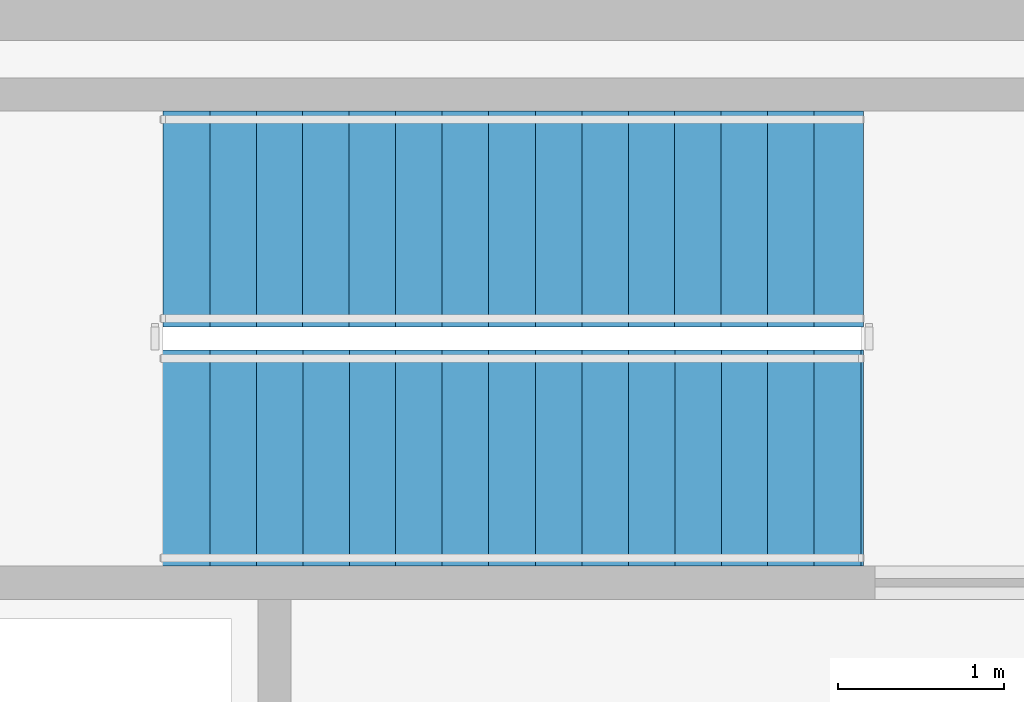
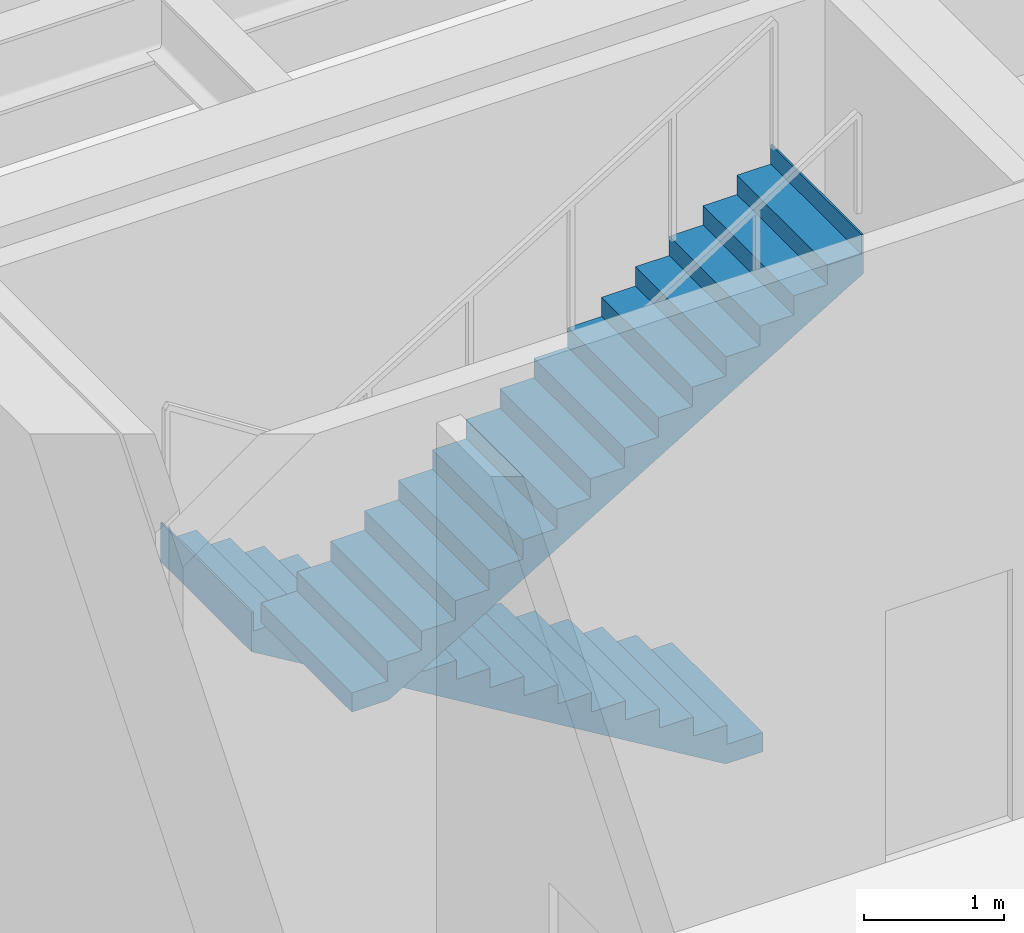
# One storey, part 9 of 12: 2 stair flights, 1 element without a shape of its own.
"""IFC4 building model written with IfcOpenShell, lengths in metres."""

from ifc_helpers import new_model, si_unit, derived_unit, direction, frame, origin, place, context, subcontext, project, spatial, polyline, outline, extrude, source, transform, mapped, material, layer, layer_set, type_object, element, aggregate, save


model = new_model("IFC4")

# Units and contexts
model_context = context("Model", 3, precision=1e-05, world=origin(), true_north=direction((0.0, 1.0)))
body_context = subcontext(model_context, "Body", "Model", "MODEL_VIEW")
ifc_project = project(units=[si_unit("LENGTHUNIT", "METRE"), si_unit("AREAUNIT", "SQUARE_METRE"), si_unit("VOLUMEUNIT", "CUBIC_METRE"), si_unit("PLANEANGLEUNIT", "RADIAN"), si_unit("MASSUNIT", "GRAM", prefix="KILO"), si_unit("THERMODYNAMICTEMPERATUREUNIT", "KELVIN"), si_unit("POWERUNIT", "WATT"), derived_unit("THERMALTRANSMITTANCEUNIT", [(si_unit("POWERUNIT", "WATT"), 1), (si_unit("AREAUNIT", "SQUARE_METRE"), -1), (si_unit("THERMODYNAMICTEMPERATUREUNIT", "KELVIN"), -1)])], contexts=[model_context])

# Site, building, storey
site_placement = place(None, origin())
site = spatial("IfcSite", under=ifc_project, at=site_placement, CompositionType="ELEMENT")
building_placement = place(site_placement, origin())
building = spatial("IfcBuilding", under=site, at=building_placement, Name="Zahravan Archway Hotel and Residences", CompositionType="ELEMENT")
storey_placement = place(building_placement, frame((0.0, 0.0, 106.39990234375)))
storey = spatial("IfcBuildingStorey", under=building, at=storey_placement, Name="L26", CompositionType="ELEMENT", Elevation=106.39990234375)

# Stair, stair flights
ifc_material = material(Name="Concrete C50/60", Category="concrete")
stair_type = type_object("IfcStairType", Name="STR-CORE-1300", PredefinedType="HALF_TURN_STAIR", material=ifc_material)
stair_placement = place(storey_placement, origin())
stair = element("IfcStair", 1, at=stair_placement, inside=storey, type_object=stair_type, Name="L26 Core B Exit Stair 2", PredefinedType="HALF_TURN_STAIR")
ifc_layer = layer(ifc_material, 0.199951171875, Name="Concrete C50/60", Category="concrete")
ifc_layer_set = layer_set([ifc_layer], Name="Concrete C50/60")
stair_flight_type = type_object("IfcStairFlightType", Name="SFL-CORE-1300", PredefinedType="STRAIGHT", material=ifc_layer_set)
shared_shape = source(origin(), body_context, "Body", "SweptSolid", [
    extrude(outline(polyline([(-0.01611328125, 0.0), (-0.01611328125, 0.168701171875), (0.280029296875, 0.168701171875), (0.280029296875, 0.33740234375), (0.56005859375, 0.33740234375), (0.56005859375, 0.50634765625), (0.840087890625, 0.50634765625), (0.840087890625, 0.675048828125), (1.1201171875, 0.675048828125), (1.1201171875, 0.84375), (1.39990234375, 0.84375), (1.39990234375, 1.012451171875), (1.679931640625, 1.012451171875), (1.679931640625, 1.18115234375), (1.9599609375, 1.18115234375), (1.9599609375, 1.35009765625), (2.239990234375, 1.35009765625), (2.239990234375, 1.518798828125), (2.52001953125, 1.518798828125), (2.52001953125, 1.6875), (2.800048828125, 1.6875), (2.800048828125, 1.856201171875), (3.080078125, 1.856201171875), (3.080078125, 2.02490234375), (3.360107421875, 2.02490234375), (3.360107421875, 2.19384765625), (3.639892578125, 2.19384765625), (3.639892578125, 2.362548828125), (3.919921875, 2.362548828125), (3.919921875, 2.53125), (4.199951171875, 2.53125), (4.199951171875, 2.699951171875), (4.216064453125, 2.699951171875), (4.216064453125, 2.356201171875), (0.29052734375, 0.0), (-0.01611328125, 0.0)])), frame((0.0, 0.64990234375, 0.0), z_axis=(0.0, -1.0, 0.0), x_axis=(1.0, 0.0, 0.0)), (0.0, 0.0, 1.0), 1.300048828125),
])
stair_flight_1_placement = place(storey_placement, frame((9.72998046875, 38.25, 0.0), z_axis=(0.0, 0.0, 1.0), x_axis=(-1.0, 0.0, 0.0)))
stair_flight_1 = element("IfcStairFlight", 2, at=stair_flight_1_placement, type_object=stair_flight_type, Name="ST-B2 flight 1", NumberOfRisers=16, NumberOfTreads=15, PredefinedType="STRAIGHT", RiserHeight=0.16875, TreadLength=0.28, context=body_context, shape_type="MappedRepresentation", body=[
    mapped(shared_shape, transform((0.0, 0.0, 0.0), scale=1.0)),
])
stair_flight_2_placement = place(storey_placement, frame((5.530029296875, 36.81005859375, 2.7001953125), z_axis=(0.0, 0.0, 1.0), x_axis=(1.0, 0.0, 0.0)))
stair_flight_2 = element("IfcStairFlight", 3, at=stair_flight_2_placement, type_object=stair_flight_type, Name="ST-B2 flight 2", NumberOfRisers=16, NumberOfTreads=15, PredefinedType="STRAIGHT", RiserHeight=0.16875, TreadLength=0.28, context=body_context, shape_type="MappedRepresentation", body=[
    mapped(shared_shape, transform((0.0, 0.0, 0.0), scale=1.0)),
])
aggregate(stair, [stair_flight_1, stair_flight_2])

save(model, "model.ifc")
